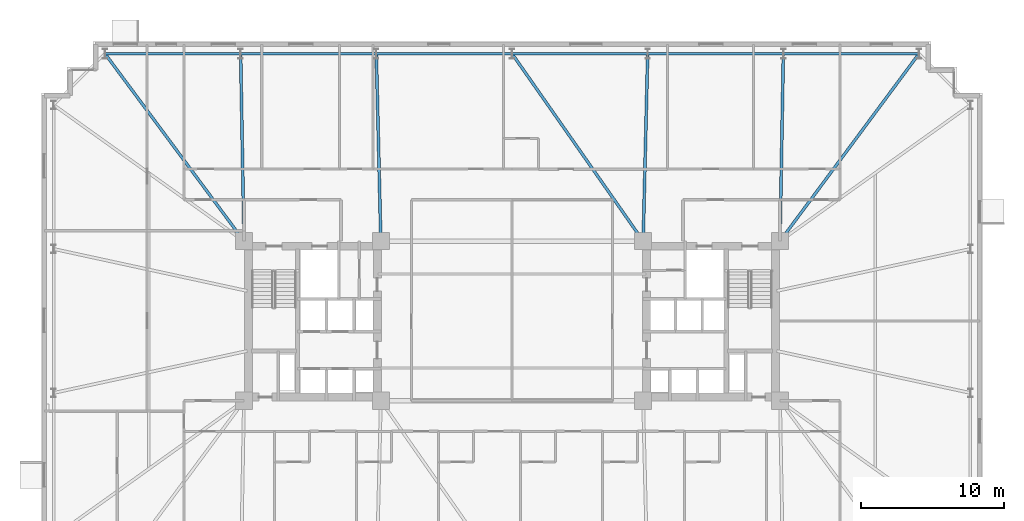
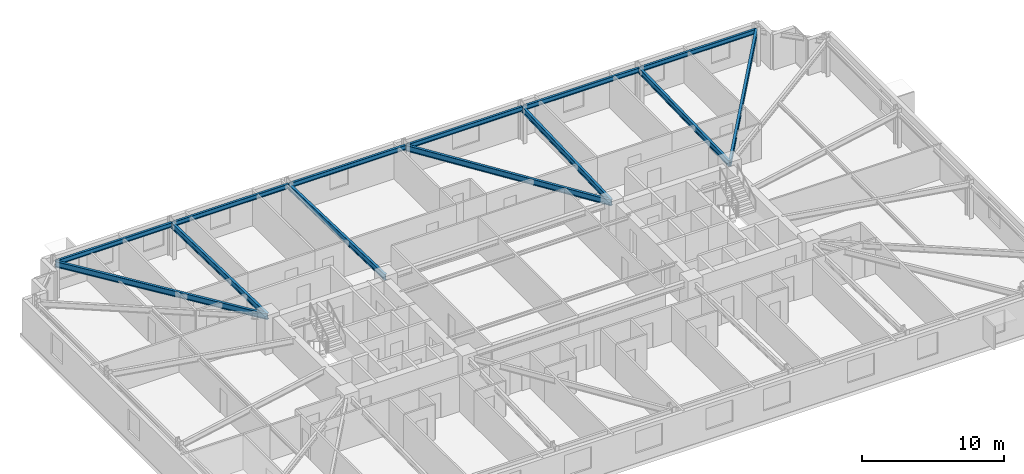
# One storey, part 9 of 20: 13 beams.
"""IFC4 building model written with IfcOpenShell, lengths in metres."""

from ifc_helpers import new_model, si_unit, direction, frame, origin, origin_2d, place, context, subcontext, project, spatial, i_section, extrude, material, material_profile, profile_set, type_object, element, save


model = new_model("IFC4")

# Units and contexts
model_context = context("Model", 3, precision=1e-05, world=origin(), true_north=direction((0.0, 1.0)))
body_context = subcontext(model_context, "Body", "Model", "MODEL_VIEW")
ifc_project = project(units=[si_unit("LENGTHUNIT", "METRE"), si_unit("AREAUNIT", "SQUARE_METRE"), si_unit("VOLUMEUNIT", "CUBIC_METRE"), si_unit("PLANEANGLEUNIT", "RADIAN"), si_unit("MASSUNIT", "GRAM", prefix="KILO")], contexts=[model_context])

# Site, building, storey
site_placement = place(None, origin())
site = spatial("IfcSite", under=ifc_project, at=site_placement, CompositionType="ELEMENT")
building_placement = place(site_placement, origin())
building = spatial("IfcBuilding", under=site, at=building_placement, Name="Qobustan Lattice House", CompositionType="ELEMENT")
storey_placement = place(building_placement, frame((0.0, 0.0, 67.199951171875)))
storey = spatial("IfcBuildingStorey", under=building, at=storey_placement, Name="L18", CompositionType="ELEMENT", Elevation=67.199951171875)

# Beams
ifc_material_1 = material(Name="Steel S355", Category="steel")
ifc_material_profile_1 = material_profile(ifc_material_1, i_section(OverallWidth=0.199951171875, OverallDepth=0.5, WebThickness=0.01025390625, FlangeThickness=0.01611328125, FilletRadius=0.02099609375, at=origin_2d()), Name="IPE500")
ifc_profile_set_1 = profile_set([ifc_material_profile_1], Name="Steel S355")
beam_type_1 = type_object("IfcBeamType", Name="BM-FLG-IPE500", PredefinedType="USERDEFINED", material=ifc_profile_set_1)
beam_1_placement = place(storey_placement, frame((-28.53515625, 18.72998046875, 2.78515625), z_axis=(0.5955916815, -0.803287338956, 0.0), x_axis=(0.803287338956, 0.5955916815, 0.0)))
element("IfcBeam", 1, at=beam_1_placement, inside=storey, type_object=beam_type_1, Name="L18 primary floor girder RAD-N7W", ObjectType="GIRDER", PredefinedType="USERDEFINED", context=body_context, shape_type="SweptSolid", body=[
    extrude(i_section(OverallWidth=0.199951171875, OverallDepth=0.5, WebThickness=0.01025390625, FlangeThickness=0.01611328125, FilletRadius=0.02099609375, at=origin_2d()), origin(), (0.0, 0.0, 1.0), 16.3203125),
])
beam_2_placement = place(storey_placement, frame((-19.032958984375, 18.72509765625, 2.78515625), z_axis=(0.017757831607, -0.999842317276, 0.0), x_axis=(0.999842317276, 0.017757831607, 0.0)))
element("IfcBeam", 2, at=beam_2_placement, inside=storey, type_object=beam_type_1, Name="L18 primary floor girder RAD-N6", ObjectType="GIRDER", PredefinedType="USERDEFINED", context=body_context, shape_type="SweptSolid", body=[
    extrude(i_section(OverallWidth=0.199951171875, OverallDepth=0.5, WebThickness=0.01025390625, FlangeThickness=0.01611328125, FilletRadius=0.02099609375, at=origin_2d()), origin(), (0.0, 0.0, 1.0), 13.10205078125),
])
beam_3_placement = place(storey_placement, frame((-9.51611328125, 18.72509765625, 2.78515625), z_axis=(0.024071445657, -0.999710240772, 0.0), x_axis=(0.999710240772, 0.024071445657, 0.0)))
element("IfcBeam", 3, at=beam_3_placement, inside=storey, type_object=beam_type_1, Name="L18 primary floor girder RAD-N5", ObjectType="GIRDER", PredefinedType="USERDEFINED", context=body_context, shape_type="SweptSolid", body=[
    extrude(i_section(OverallWidth=0.199951171875, OverallDepth=0.5, WebThickness=0.01025390625, FlangeThickness=0.01611328125, FilletRadius=0.02099609375, at=origin_2d()), origin(), (0.0, 0.0, 1.0), 13.10400390625),
])
beam_4_placement = place(storey_placement, frame((0.014404296875, 18.7294921875, 2.78515625), z_axis=(0.57325954206, -0.819373844736, 0.0), x_axis=(0.819373844736, 0.57325954206, 0.0)))
element("IfcBeam", 4, at=beam_4_placement, inside=storey, type_object=beam_type_1, Name="L18 primary floor girder RAD-N4", ObjectType="GIRDER", PredefinedType="USERDEFINED", context=body_context, shape_type="SweptSolid", body=[
    extrude(i_section(OverallWidth=0.199951171875, OverallDepth=0.5, WebThickness=0.01025390625, FlangeThickness=0.01611328125, FilletRadius=0.02099609375, at=origin_2d()), origin(), (0.0, 0.0, 1.0), 15.998779296875),
])
beam_5_placement = place(storey_placement, frame((9.51611328125, 18.72509765625, 2.78515625), z_axis=(-0.024071445657, -0.999710240772, 0.0), x_axis=(0.999710240772, -0.024071445657, 0.0)))
element("IfcBeam", 5, at=beam_5_placement, inside=storey, type_object=beam_type_1, Name="L18 primary floor girder RAD-N3", ObjectType="GIRDER", PredefinedType="USERDEFINED", context=body_context, shape_type="SweptSolid", body=[
    extrude(i_section(OverallWidth=0.199951171875, OverallDepth=0.5, WebThickness=0.01025390625, FlangeThickness=0.01611328125, FilletRadius=0.02099609375, at=origin_2d()), origin(), (0.0, 0.0, 1.0), 13.10400390625),
])
beam_6_placement = place(storey_placement, frame((19.032958984375, 18.72509765625, 2.78515625), z_axis=(-0.017757831607, -0.999842317276, 0.0), x_axis=(0.999842317276, -0.017757831607, 0.0)))
element("IfcBeam", 6, at=beam_6_placement, inside=storey, type_object=beam_type_1, Name="L18 primary floor girder RAD-N2", ObjectType="GIRDER", PredefinedType="USERDEFINED", context=body_context, shape_type="SweptSolid", body=[
    extrude(i_section(OverallWidth=0.199951171875, OverallDepth=0.5, WebThickness=0.01025390625, FlangeThickness=0.01611328125, FilletRadius=0.02099609375, at=origin_2d()), origin(), (0.0, 0.0, 1.0), 13.10205078125),
])
beam_7_placement = place(storey_placement, frame((28.53515625, 18.72998046875, 2.78515625), z_axis=(-0.5955916815, -0.803287338956, 0.0), x_axis=(0.803287338956, -0.5955916815, 0.0)))
element("IfcBeam", 7, at=beam_7_placement, inside=storey, type_object=beam_type_1, Name="L18 primary floor girder RAD-N1E", ObjectType="GIRDER", PredefinedType="USERDEFINED", context=body_context, shape_type="SweptSolid", body=[
    extrude(i_section(OverallWidth=0.199951171875, OverallDepth=0.5, WebThickness=0.01025390625, FlangeThickness=0.01611328125, FilletRadius=0.02099609375, at=origin_2d()), origin(), (0.0, 0.0, 1.0), 16.3203125),
])
ifc_material_2 = material(Name="Steel S355", Category="steel")
ifc_material_profile_2 = material_profile(ifc_material_2, i_section(OverallWidth=0.179931640625, OverallDepth=0.39990234375, WebThickness=0.008544921875, FlangeThickness=0.013427734375, FilletRadius=0.02099609375, at=origin_2d()), Name="IPE400")
ifc_profile_set_2 = profile_set([ifc_material_profile_2], Name="Steel S355")
beam_type_2 = type_object("IfcBeamType", Name="BM-SPD-IPE400", PredefinedType="SPANDREL", material=ifc_profile_set_2)
for number, where, z_axis, x_axis, name in (
    (8, (28.52490234375, 18.75, 2.8349609375), (-1.0, 0.0, 0.0), (0.0, -1.0, 0.0), "L18 perimeter spandrel N1-N2"),
    (9, (19.00830078125, 18.75, 2.8349609375), (-1.0, 0.0, 0.0), (0.0, -1.0, 0.0), "L18 perimeter spandrel N2-N3"),
):
    element("IfcBeam", number, at=place(storey_placement, frame(where, z_axis=z_axis, x_axis=x_axis)), inside=storey, type_object=beam_type_2, Name=name, PredefinedType="SPANDREL", context=body_context, shape_type="SweptSolid", body=[
        extrude(i_section(OverallWidth=0.179931640625, OverallDepth=0.39990234375, WebThickness=0.008544921875, FlangeThickness=0.013427734375, FilletRadius=0.02099609375, at=origin_2d()), origin(), (0.0, 0.0, 1.0), 9.466552734375),
    ])
for number, where, z_axis, x_axis, name in (
    (10, (9.49169921875, 18.75, 2.8349609375), (-1.0, 0.0, 0.0), (0.0, -1.0, 0.0), "L18 perimeter spandrel N3-N4"),
    (11, (-0.02490234375, 18.75, 2.8349609375), (-1.0, 0.0, 0.0), (0.0, -1.0, 0.0), "L18 perimeter spandrel N4-N5"),
):
    element("IfcBeam", number, at=place(storey_placement, frame(where, z_axis=z_axis, x_axis=x_axis)), inside=storey, type_object=beam_type_2, Name=name, PredefinedType="SPANDREL", context=body_context, shape_type="SweptSolid", body=[
        extrude(i_section(OverallWidth=0.179931640625, OverallDepth=0.39990234375, WebThickness=0.008544921875, FlangeThickness=0.013427734375, FilletRadius=0.02099609375, at=origin_2d()), origin(), (0.0, 0.0, 1.0), 9.466796875),
    ])
for number, where, z_axis, x_axis, name in (
    (12, (-9.541748046875, 18.75, 2.8349609375), (-1.0, 0.0, 0.0), (0.0, -1.0, 0.0), "L18 perimeter spandrel N5-N6"),
    (13, (-19.058349609375, 18.75, 2.8349609375), (-1.0, 0.0, 0.0), (0.0, -1.0, 0.0), "L18 perimeter spandrel N6-N7"),
):
    element("IfcBeam", number, at=place(storey_placement, frame(where, z_axis=z_axis, x_axis=x_axis)), inside=storey, type_object=beam_type_2, Name=name, PredefinedType="SPANDREL", context=body_context, shape_type="SweptSolid", body=[
        extrude(i_section(OverallWidth=0.179931640625, OverallDepth=0.39990234375, WebThickness=0.008544921875, FlangeThickness=0.013427734375, FilletRadius=0.02099609375, at=origin_2d()), origin(), (0.0, 0.0, 1.0), 9.466552734375),
    ])

save(model, "model.ifc")
